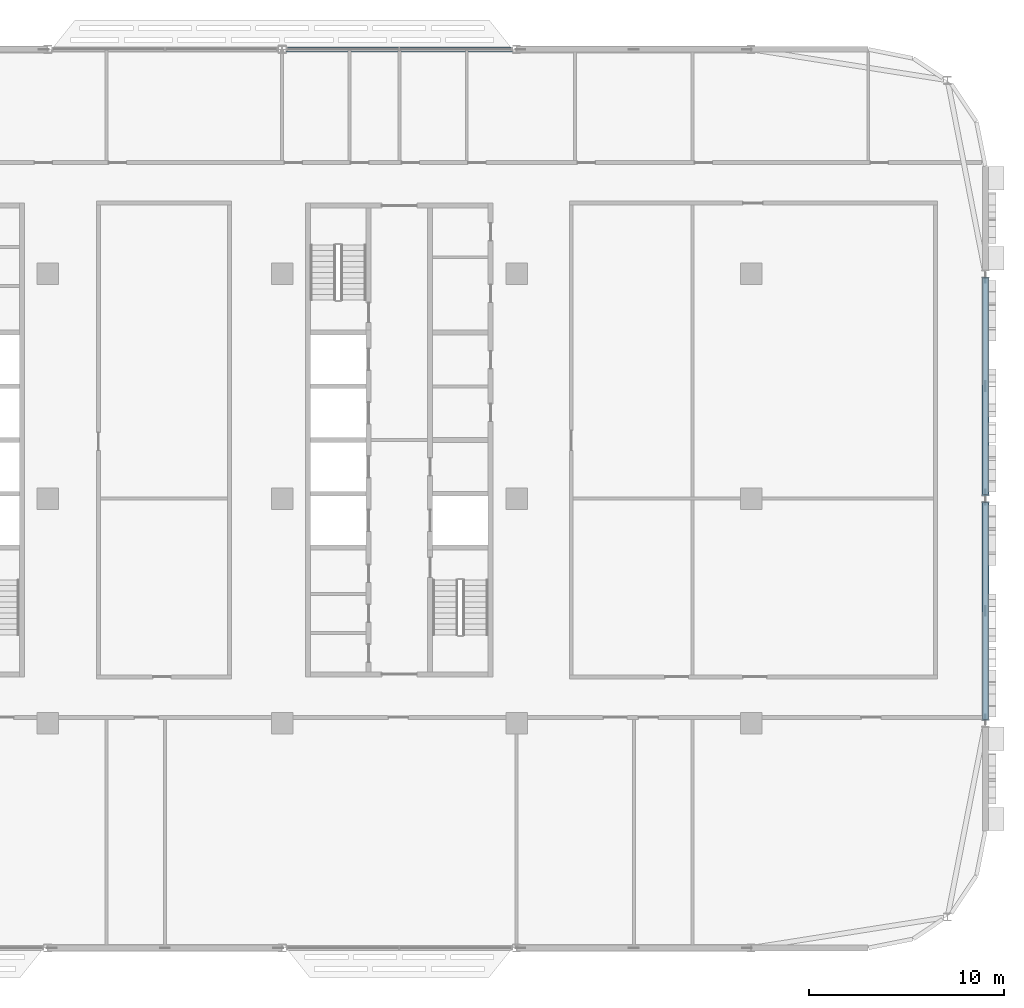
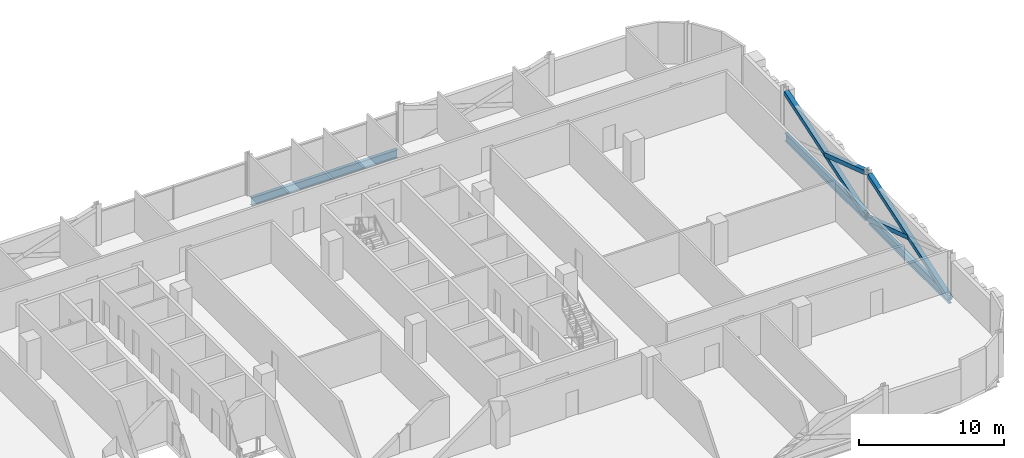
# One storey, part 10 of 30: 4 members, 3 beams.
"""IFC4 building model written with IfcOpenShell, lengths in metres."""

from ifc_helpers import new_model, si_unit, direction, frame, origin, origin_2d, place, context, subcontext, project, spatial, hollow_rectangle, i_section, extrude, material, material_profile, profile_set, type_object, element, save


model = new_model("IFC4")

# Units and contexts
model_context = context("Model", 3, precision=1e-05, world=origin(), true_north=direction((0.0, 1.0)))
body_context = subcontext(model_context, "Body", "Model", "MODEL_VIEW")
ifc_project = project(units=[si_unit("LENGTHUNIT", "METRE"), si_unit("AREAUNIT", "SQUARE_METRE"), si_unit("VOLUMEUNIT", "CUBIC_METRE"), si_unit("PLANEANGLEUNIT", "RADIAN"), si_unit("MASSUNIT", "GRAM", prefix="KILO")], contexts=[model_context])

# Site, building, storey
site_placement = place(None, origin())
site = spatial("IfcSite", under=ifc_project, at=site_placement, CompositionType="ELEMENT")
building_placement = place(site_placement, origin())
building = spatial("IfcBuilding", under=site, at=building_placement, Name="Mahtab Terrace Research Tower", CompositionType="ELEMENT")
storey_placement = place(building_placement, frame((0.0, 0.0, 216.699951171875)))
storey = spatial("IfcBuildingStorey", under=building, at=storey_placement, Name="L52", CompositionType="ELEMENT", Elevation=216.699951171875)

# Members
ifc_material_1 = material(Name="Steel ASTM A500 Gr C", Category="steel")
ifc_material_profile_1 = material_profile(ifc_material_1, hollow_rectangle(XDim=0.355712890625, YDim=0.355712890625, WallThickness=0.015869140625, at=origin_2d()), Name="HSS14X14X5/8")
ifc_profile_set_1 = profile_set([ifc_material_profile_1], Name="Steel ASTM A500 Gr C")
member_type = type_object("IfcMemberType", Name="HSS 14x14x5/8 brace XB141458", PredefinedType="BRACE", material=ifc_profile_set_1)
member_1_placement = place(storey_placement, frame((54.0, -11.300537109375, -0.61328125), z_axis=(0.0, 0.949498689047, 0.313770998496), x_axis=(-1.0, 0.0, 0.0)))
element("IfcMember", 1, at=member_1_placement, inside=storey, type_object=member_type, Name="Exoskeleton brace L52 22 a", PredefinedType="BRACE", context=body_context, shape_type="SweptSolid", body=[
    extrude(hollow_rectangle(XDim=0.355712890625, YDim=0.355712890625, WallThickness=0.015869140625, at=origin_2d()), origin(), (0.0, 0.0, 1.0), 11.69140625),
])
member_2_placement = place(storey_placement, frame((54.0, -0.199462890625, -0.61328125), z_axis=(0.0, -0.949498689047, 0.313770998496), x_axis=(1.0, 0.0, 0.0)))
element("IfcMember", 2, at=member_2_placement, inside=storey, type_object=member_type, Name="Exoskeleton brace L52 22 b1", PredefinedType="BRACE", context=body_context, shape_type="SweptSolid", body=[
    extrude(hollow_rectangle(XDim=0.355712890625, YDim=0.355712890625, WallThickness=0.015869140625, at=origin_2d()), origin(), (0.0, 0.0, 1.0), 5.845703125),
])
member_3_placement = place(storey_placement, frame((54.0, 0.199462890625, -0.61328125), z_axis=(0.0, 0.949498689047, 0.313770998496), x_axis=(-1.0, 0.0, 0.0)))
element("IfcMember", 3, at=member_3_placement, inside=storey, type_object=member_type, Name="Exoskeleton brace L52 23 a", PredefinedType="BRACE", context=body_context, shape_type="SweptSolid", body=[
    extrude(hollow_rectangle(XDim=0.355712890625, YDim=0.355712890625, WallThickness=0.015869140625, at=origin_2d()), origin(), (0.0, 0.0, 1.0), 11.69140625),
])
member_4_placement = place(storey_placement, frame((54.0, 5.75, 1.220947265625), z_axis=(0.0, -0.949498689047, 0.313770998496), x_axis=(1.0, 0.0, 0.0)))
element("IfcMember", 4, at=member_4_placement, inside=storey, type_object=member_type, Name="Exoskeleton brace L52 23 b2", PredefinedType="BRACE", context=body_context, shape_type="SweptSolid", body=[
    extrude(hollow_rectangle(XDim=0.355712890625, YDim=0.355712890625, WallThickness=0.015869140625, at=origin_2d()), origin(), (0.0, 0.0, 1.0), 5.845703125),
])

# Beams
ifc_material_2 = material(Name="Steel ASTM A992 Gr 50", Category="steel")
ifc_material_profile_2 = material_profile(ifc_material_2, i_section(OverallWidth=0.25390625, OverallDepth=0.67822265625, WebThickness=0.01171875, FlangeThickness=0.016357421875, at=origin_2d()), Name="W27X84")
ifc_profile_set_2 = profile_set([ifc_material_profile_2], Name="Steel ASTM A992 Gr 50")
beam_type = type_object("IfcBeamType", Name="W27x84 beam BS2784", PredefinedType="BEAM", material=ifc_profile_set_2)
beam_placement = place(storey_placement, frame((29.79931640625, 23.0, -0.678955078125), z_axis=(-1.0, 0.0, 0.0), x_axis=(0.0, -1.0, 0.0)))
element("IfcBeam", 5, at=beam_placement, inside=storey, type_object=beam_type, Name="Spandrel beam L52 03", PredefinedType="BEAM", context=body_context, shape_type="SweptSolid", body=[
    extrude(i_section(OverallWidth=0.25390625, OverallDepth=0.67822265625, WebThickness=0.01171875, FlangeThickness=0.016357421875, at=origin_2d()), origin(), (0.0, 0.0, 1.0), 11.5986328125),
])
for number, where, z_axis, x_axis, name in (
    (6, (54.0, -11.300537109375, -0.678955078125), (0.0, 1.0, 0.0), (-1.0, 0.0, 0.0), "Spandrel beam L52 22"),
    (7, (54.0, 0.199462890625, -0.678955078125), (0.0, 1.0, 0.0), (-1.0, 0.0, 0.0), "Spandrel beam L52 23"),
):
    element("IfcBeam", number, at=place(storey_placement, frame(where, z_axis=z_axis, x_axis=x_axis)), inside=storey, type_object=beam_type, Name=name, PredefinedType="BEAM", context=body_context, shape_type="SweptSolid", body=[
        extrude(i_section(OverallWidth=0.25390625, OverallDepth=0.67822265625, WebThickness=0.01171875, FlangeThickness=0.016357421875, at=origin_2d()), origin(), (0.0, 0.0, 1.0), 11.10107421875),
    ])

save(model, "model.ifc")
